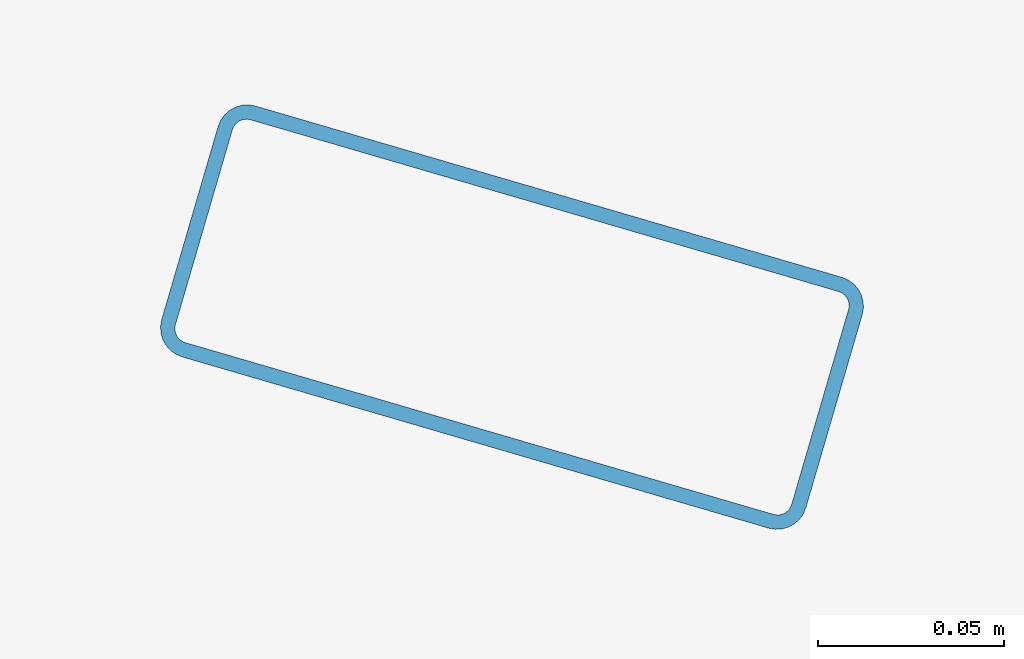
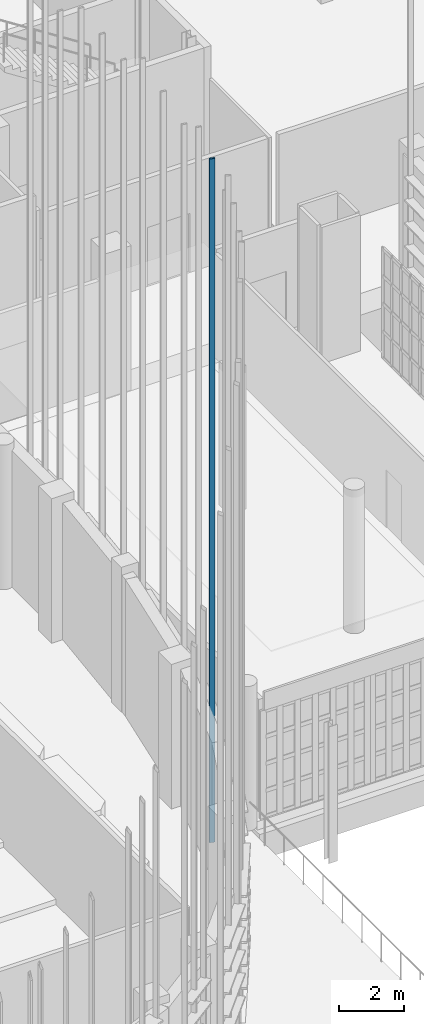
# One storey, part 107 of 372: 1 member.
"""IFC4 building model written with IfcOpenShell, lengths in metres."""

from ifc_helpers import new_model, si_unit, direction, frame, origin, origin_2d, place, context, subcontext, project, spatial, hollow_rectangle, extrude, material, material_profile, profile_set, type_object, element, save


model = new_model("IFC4")

# Units and contexts
model_context = context("Model", 3, precision=1e-05, world=origin(), true_north=direction((0.0, 1.0)))
body_context = subcontext(model_context, "Body", "Model", "MODEL_VIEW")
ifc_project = project(units=[si_unit("LENGTHUNIT", "METRE"), si_unit("AREAUNIT", "SQUARE_METRE"), si_unit("VOLUMEUNIT", "CUBIC_METRE"), si_unit("PLANEANGLEUNIT", "RADIAN"), si_unit("MASSUNIT", "GRAM", prefix="KILO")], contexts=[model_context])

# Site, building, storey
site_placement = place(None, origin())
site = spatial("IfcSite", under=ifc_project, at=site_placement, CompositionType="ELEMENT")
building_placement = place(site_placement, origin())
building = spatial("IfcBuilding", under=site, at=building_placement, Name="Kaelora Sail Theatre", CompositionType="ELEMENT")
storey_placement = place(building_placement, origin())
storey = spatial("IfcBuildingStorey", under=building, at=storey_placement, Name="L00", CompositionType="ELEMENT", Elevation=0.0)

# Member
ifc_material = material(Name="Anodised aluminium 6063-T6", Category="aluminium")
ifc_material_profile = material_profile(ifc_material, hollow_rectangle(XDim=0.070068359375, YDim=0.179931640625, WallThickness=0.00390625, InnerFilletRadius=0.00390625, OuterFilletRadius=0.008056640625, at=origin_2d()), Name="ALU-MULL 70x180x4")
ifc_profile_set = profile_set([ifc_material_profile], Name="Anodised aluminium 6063-T6")
member_type = type_object("IfcMemberType", Name="ARC-MEM-PST-160", PredefinedType="POST", material=ifc_profile_set)
member_placement = place(storey_placement, frame((56.84130859375, 38.456298828125, 0.0), z_axis=(0.0, 0.0, 1.0), x_axis=(-0.280331656578, -0.959903204662, 0.0)))
element("IfcMember", 1, at=member_placement, inside=storey, type_object=member_type, Name="Main Theatre Sail Drum solar louvre vertical support post C5-2", PredefinedType="POST", context=body_context, shape_type="SweptSolid", body=[
    extrude(hollow_rectangle(XDim=0.070068359375, YDim=0.179931640625, WallThickness=0.00390625, InnerFilletRadius=0.00390625, OuterFilletRadius=0.008056640625, at=origin_2d()), origin(), (0.0, 0.0, 1.0), 25.54248046875),
])

save(model, "model.ifc")
